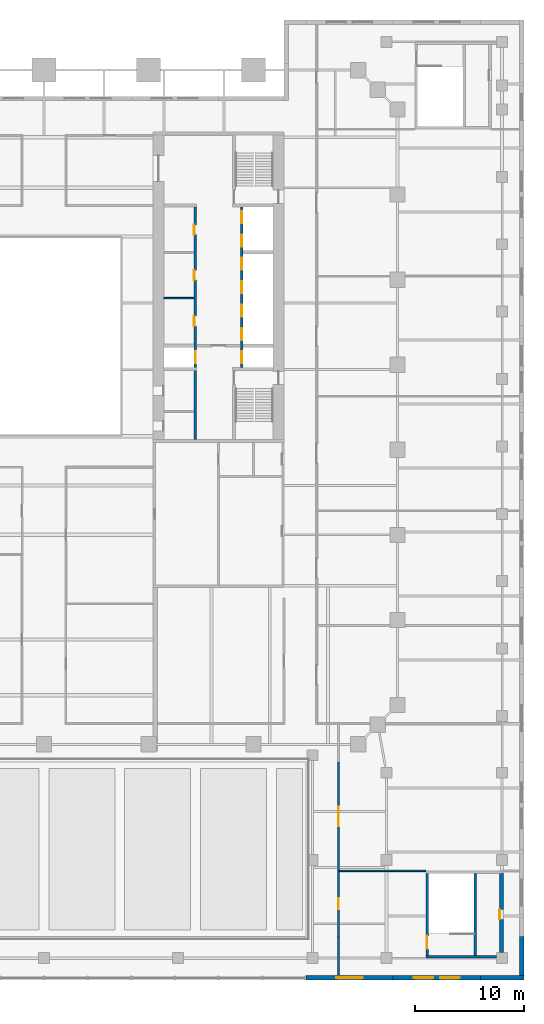
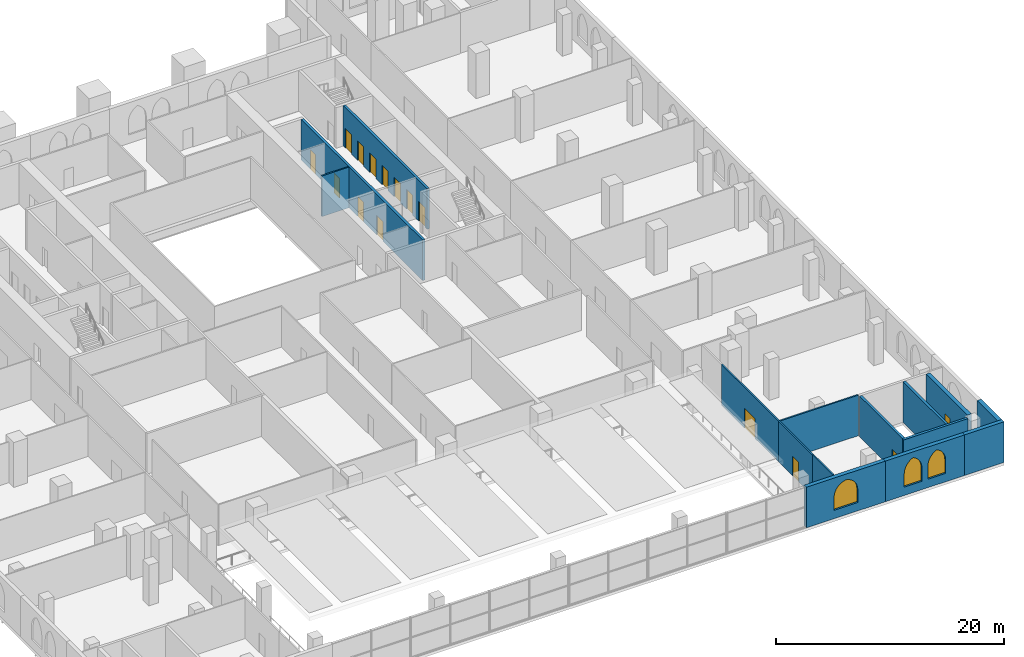
# One storey, part 12 of 18: 15 doors, 15 walls, 3 windows, 18 openings.
"""IFC4 building model written with IfcOpenShell, lengths in metres."""

from ifc_helpers import new_model, si_unit, direction, frame, frame_2d, origin, place, context, subcontext, project, spatial, polyline, rectangle, outline, extrude, material, layer, layer_set, type_object, element, fill, save


model = new_model("IFC4")

# Units and contexts
model_context = context("Model", 3, precision=1e-05, world=origin(), true_north=direction((0.0, 1.0)))
body_context = subcontext(model_context, "Body", "Model", "MODEL_VIEW")
ifc_project = project(units=[si_unit("LENGTHUNIT", "METRE"), si_unit("AREAUNIT", "SQUARE_METRE"), si_unit("VOLUMEUNIT", "CUBIC_METRE"), si_unit("PLANEANGLEUNIT", "RADIAN"), si_unit("MASSUNIT", "GRAM", prefix="KILO")], contexts=[model_context])

# Site, building, storey
site_placement = place(None, origin())
site = spatial("IfcSite", under=ifc_project, at=site_placement, CompositionType="ELEMENT")
building_placement = place(site_placement, origin())
building = spatial("IfcBuilding", under=site, at=building_placement, Name="Ogive Exchange Tower", CompositionType="ELEMENT")
storey_placement = place(building_placement, frame((0.0, 0.0, 28.800048828125)))
storey = spatial("IfcBuildingStorey", under=building, at=storey_placement, Name="L05", CompositionType="ELEMENT", Elevation=28.800048828125)

# Walls
ifc_material_1 = material(Name="Acoustic partition 150")
ifc_layer_1 = layer(ifc_material_1, 0.14990234375)
ifc_layer_set_1 = layer_set([ifc_layer_1], Name="Acoustic partition 150")
wall_type_1 = type_object("IfcWallType", Name="Acoustic partition 150", PredefinedType="PARTITIONING", material=ifc_layer_set_1)
wall_1_placement = place(storey_placement, frame((27.074951171875, -42.0, 0.0), z_axis=(0.0, 0.0, 1.0), x_axis=(1.0, 0.0, 0.0)))
element("IfcWall", 1, at=wall_1_placement, inside=storey, type_object=wall_type_1, Name="L05-PWL-003", PredefinedType="PARTITIONING", context=body_context, shape_type="SweptSolid", body=[
    extrude(rectangle(XDim=7.925048828125, YDim=0.14990234375, at=frame_2d((3.96240234375, 0.0))), origin(), (0.0, 0.0, 1.0), 4.349853515625),
])
ifc_material_2 = material(Name="Gypsum board partition")
ifc_layer_2 = layer(ifc_material_2, 0.14990234375)
ifc_layer_set_2 = layer_set([ifc_layer_2], Name="Core room partition 150 gypsum")
wall_type_2 = type_object("IfcWallType", Name="Core room partition 150 gypsum", PredefinedType="PARTITIONING", material=ifc_layer_set_2)
wall_2_placement = place(storey_placement, frame((11.0, 10.5, 0.0), z_axis=(0.0, 0.0, 1.0), x_axis=(1.0, 0.0, 0.0)))
element("IfcWall", 2, at=wall_2_placement, inside=storey, type_object=wall_type_2, Name="E row B bay partition 1-1", PredefinedType="PARTITIONING", context=body_context, shape_type="SweptSolid", body=[
    extrude(rectangle(XDim=2.75, YDim=0.14990234375, at=frame_2d((1.375, 0.0))), origin(), (0.0, 0.0, 1.0), 4.349853515625),
])
ifc_material_3 = material(Name="Fire partition EI 60 150")
ifc_layer_3 = layer(ifc_material_3, 0.14990234375)
ifc_layer_set_3 = layer_set([ifc_layer_3], Name="Fire partition EI 60 150")
wall_type_3 = type_object("IfcWallType", Name="Fire partition EI 60 150", PredefinedType="PARTITIONING", material=ifc_layer_set_3)
wall_3_placement = place(storey_placement, frame((27.0, -51.5, 0.0), z_axis=(0.0, 0.0, 1.0), x_axis=(0.0, 1.0, 0.0)))
element("IfcWall", 3, at=wall_3_placement, inside=storey, type_object=wall_type_3, Name="L05-PWL-066", PredefinedType="PARTITIONING", context=body_context, shape_type="SweptSolid", body=[
    extrude(rectangle(XDim=3.5, YDim=0.14990234375, at=frame_2d((1.75, 0.0))), origin(), (0.0, 0.0, 1.0), 4.349853515625),
])

# Wall, opening, door
wall_4_placement = place(storey_placement, frame((27.0, -48.0, 0.0), z_axis=(0.0, 0.0, 1.0), x_axis=(0.0, 1.0, 0.0)))
wall_4 = element("IfcWall", 4, at=wall_4_placement, inside=storey, type_object=wall_type_3, Name="L05-PWL-067", PredefinedType="PARTITIONING", context=body_context, shape_type="SweptSolid", body=[
    extrude(rectangle(XDim=6.0, YDim=0.14990234375, at=frame_2d((3.0, 0.0))), origin(), (0.0, 0.0, 1.0), 4.349853515625),
])
opening_1_placement = place(wall_4_placement, frame((2.5, 0.0, 0.0)))
opening_1 = element("IfcOpeningElement", 5, at=opening_1_placement, cuts=wall_4, Name="Opening L05-I16", PredefinedType="OPENING", context=body_context, shape_type="SweptSolid", body=[
    extrude(rectangle(XDim=1.0, YDim=2.10009765625, at=frame_2d((0.5, 1.050048828125))), frame((0.0, 0.0849609375, 0.0), z_axis=(0.0, -1.0, 0.0), x_axis=(1.0, 0.0, 0.0)), (0.0, 0.0, 1.0), 0.169921875),
])
ifc_material_4 = material(Name="Fire door FD 30S 1000 x 2100")
door_type_1 = type_object("IfcDoorType", Name="Fire door FD 30S 1000 x 2100", OperationType="NOTDEFINED", PredefinedType="DOOR", material=ifc_material_4)
door_1_placement = place(opening_1_placement, frame((1.0, 0.0, 0.0), z_axis=(0.0, 0.0, 1.0), x_axis=(-1.0, 0.0, 0.0)))
door_1 = element("IfcDoor", 6, at=door_1_placement, inside=storey, type_object=door_type_1, Name="L05-IDR-016", ObjectType="DT3", OperationType="SINGLE_SWING_RIGHT", OverallHeight=2.10009765625, OverallWidth=1.0, PredefinedType="DOOR", context=body_context, shape_type="SweptSolid", body=[
    extrude(rectangle(XDim=1.0, YDim=2.10009765625, at=frame_2d((0.5, 1.050048828125))), frame((0.0, 0.02490234375, 0.0), z_axis=(0.0, -1.0, 0.0), x_axis=(1.0, 0.0, 0.0)), (0.0, 0.0, 1.0), 0.050048828125),
])
fill(opening_1, door_1)

wall_5_placement = place(storey_placement, frame((27.0, -42.0, 0.0), z_axis=(0.0, 0.0, 1.0), x_axis=(0.0, 1.0, 0.0)))
wall_5 = element("IfcWall", 7, at=wall_5_placement, inside=storey, type_object=wall_type_3, Name="L05-PWL-068", PredefinedType="PARTITIONING", context=body_context, shape_type="SweptSolid", body=[
    extrude(rectangle(XDim=10.0, YDim=0.14990234375, at=frame_2d((5.0, 0.0))), origin(), (0.0, 0.0, 1.0), 4.349853515625),
])
opening_2_placement = place(wall_5_placement, frame((4.10009765625, 0.0, 0.0)))
opening_2 = element("IfcOpeningElement", 8, at=opening_2_placement, cuts=wall_5, Name="Opening L05-I17", PredefinedType="OPENING", context=body_context, shape_type="SweptSolid", body=[
    extrude(rectangle(XDim=1.800048828125, YDim=2.10009765625, at=frame_2d((0.89990234375, 1.050048828125))), frame((0.0, 0.0849609375, 0.0), z_axis=(0.0, -1.0, 0.0), x_axis=(1.0, 0.0, 0.0)), (0.0, 0.0, 1.0), 0.169921875),
])
ifc_material_5 = material(Name="Fire door FD 30S 1800 x 2100")
door_type_2 = type_object("IfcDoorType", Name="Fire door FD 30S 1800 x 2100", OperationType="DOUBLE_DOOR_SINGLE_SWING", PredefinedType="DOOR", material=ifc_material_5)
door_2_placement = place(opening_2_placement, frame((1.800048828125, 0.0, 0.0), z_axis=(0.0, 0.0, 1.0), x_axis=(-1.0, 0.0, 0.0)))
door_2 = element("IfcDoor", 9, at=door_2_placement, inside=storey, type_object=door_type_2, Name="L05-IDR-017", ObjectType="DT4", OperationType="SINGLE_SWING_RIGHT", OverallHeight=2.10009765625, OverallWidth=1.800048828125, PredefinedType="DOOR", context=body_context, shape_type="SweptSolid", body=[
    extrude(rectangle(XDim=1.800048828125, YDim=2.10009765625, at=frame_2d((0.89990234375, 1.050048828125))), frame((0.0, 0.02490234375, 0.0), z_axis=(0.0, -1.0, 0.0), x_axis=(1.0, 0.0, 0.0)), (0.0, 0.0, 1.0), 0.050048828125),
])
fill(opening_2, door_2)

# Wall, opening, window
ifc_material_6 = material(Name="Precast concrete C40/50", Category="concrete")
ifc_layer_4 = layer(ifc_material_6, 0.39990234375)
ifc_layer_set_4 = layer_set([ifc_layer_4], Name="Limestone-faced wall 400")
wall_type_4 = type_object("IfcWallType", Name="Limestone-faced wall 400", PredefinedType="STANDARD", material=ifc_layer_set_4)
wall_6_placement = place(storey_placement, frame((24.0, -51.800048828125, 0.0), z_axis=(0.0, 0.0, 1.0), x_axis=(1.0, 0.0, 0.0)))
wall_6 = element("IfcWall", 10, at=wall_6_placement, inside=storey, type_object=wall_type_4, Name="Podium wall S10", PredefinedType="STANDARD", context=body_context, shape_type="SweptSolid", body=[
    extrude(rectangle(XDim=8.0, YDim=0.39990234375, at=frame_2d((4.0, 0.0))), origin(), (0.0, 0.0, 1.0), 4.349853515625),
])
opening_3_placement = place(wall_6_placement, frame((2.800048828125, 0.0, 0.89990234375)))
opening_3 = element("IfcOpeningElement", 11, at=opening_3_placement, cuts=wall_6, Name="Opening WP285", PredefinedType="OPENING", context=body_context, shape_type="SweptSolid", body=[
    extrude(outline(polyline([(0.0, 0.0), (2.39990234375, 0.0), (2.39990234375, 1.425048828125), (2.3779296875, 1.6767578125), (2.312255859375, 1.9208984375), (2.205322265625, 2.149658203125), (2.06005859375, 2.3564453125), (1.880859375, 2.534912109375), (1.673583984375, 2.679443359375), (1.4443359375, 2.785400390625), (1.199951171875, 2.85009765625), (0.95556640625, 2.785400390625), (0.726318359375, 2.679443359375), (0.51904296875, 2.534912109375), (0.33984375, 2.3564453125), (0.194580078125, 2.149658203125), (0.087646484375, 1.9208984375), (0.02197265625, 1.6767578125), (0.0, 1.425048828125), (0.0, 0.0)])), frame((0.0, 0.2099609375, 0.0), z_axis=(0.0, -1.0, 0.0), x_axis=(1.0, 0.0, 0.0)), (0.0, 0.0, 1.0), 0.419921875),
])
ifc_material_7 = material(Name="Clear glass in bronze frame", Category="glass")
window_type_1 = type_object("IfcWindowType", Name="Podium lancet window 2400 x 2850", PartitioningType="DOUBLE_PANEL_VERTICAL", PredefinedType="WINDOW", material=ifc_material_7)
window_1_placement = place(opening_3_placement, origin())
window_1 = element("IfcWindow", 12, at=window_1_placement, inside=storey, type_object=window_type_1, Name="Podium window S10", OverallHeight=2.85009765625, OverallWidth=2.39990234375, PartitioningType="DOUBLE_PANEL_VERTICAL", PredefinedType="WINDOW", context=body_context, shape_type="SweptSolid", body=[
    extrude(outline(polyline([(0.0, 0.0), (2.39990234375, 0.0), (2.39990234375, 1.425048828125), (2.3779296875, 1.6767578125), (2.312255859375, 1.9208984375), (2.205322265625, 2.149658203125), (2.06005859375, 2.3564453125), (1.880859375, 2.534912109375), (1.673583984375, 2.679443359375), (1.4443359375, 2.785400390625), (1.199951171875, 2.85009765625), (0.95556640625, 2.785400390625), (0.726318359375, 2.679443359375), (0.51904296875, 2.534912109375), (0.33984375, 2.3564453125), (0.194580078125, 2.149658203125), (0.087646484375, 1.9208984375), (0.02197265625, 1.6767578125), (0.0, 1.425048828125), (0.0, 0.0)])), frame((0.0, 0.030029296875, 0.0), z_axis=(0.0, -1.0, 0.0), x_axis=(1.0, 0.0, 0.0)), (0.0, 0.0, 1.0), 0.06005859375),
])
fill(opening_3, window_1)

# Wall, openings, windows
wall_7_placement = place(storey_placement, frame((32.0, -51.800048828125, 0.0), z_axis=(0.0, 0.0, 1.0), x_axis=(1.0, 0.0, 0.0)))
wall_7 = element("IfcWall", 13, at=wall_7_placement, inside=storey, type_object=wall_type_4, Name="Podium wall S11", PredefinedType="STANDARD", context=body_context, shape_type="SweptSolid", body=[
    extrude(rectangle(XDim=8.0, YDim=0.39990234375, at=frame_2d((4.0, 0.0))), origin(), (0.0, 0.0, 1.0), 4.349853515625),
])
opening_4_placement = place(wall_7_placement, frame((1.89990234375, 0.0, 0.89990234375)))
opening_4 = element("IfcOpeningElement", 14, at=opening_4_placement, cuts=wall_7, Name="Opening WQ285", PredefinedType="OPENING", context=body_context, shape_type="SweptSolid", body=[
    extrude(outline(polyline([(0.0, 0.0), (1.800048828125, 0.0), (1.800048828125, 1.425048828125), (1.784423828125, 1.646484375), (1.73779296875, 1.86376953125), (1.661376953125, 2.072265625), (1.55615234375, 2.267822265625), (1.4248046875, 2.44677734375), (1.269287109375, 2.60546875), (1.09326171875, 2.74072265625), (0.89990234375, 2.85009765625), (0.706787109375, 2.74072265625), (0.53076171875, 2.60546875), (0.375244140625, 2.44677734375), (0.243896484375, 2.267822265625), (0.138671875, 2.072265625), (0.062255859375, 1.86376953125), (0.015625, 1.646484375), (0.0, 1.425048828125), (0.0, 0.0)])), frame((0.0, 0.2099609375, 0.0), z_axis=(0.0, -1.0, 0.0), x_axis=(1.0, 0.0, 0.0)), (0.0, 0.0, 1.0), 0.419921875),
])
opening_5_placement = place(wall_7_placement, frame((4.300048828125, 0.0, 0.89990234375)))
opening_5 = element("IfcOpeningElement", 15, at=opening_5_placement, cuts=wall_7, Name="Opening WQ285", PredefinedType="OPENING", context=body_context, shape_type="SweptSolid", body=[
    extrude(outline(polyline([(0.0, 0.0), (1.800048828125, 0.0), (1.800048828125, 1.425048828125), (1.784423828125, 1.646484375), (1.73779296875, 1.86376953125), (1.661376953125, 2.072265625), (1.55615234375, 2.267822265625), (1.4248046875, 2.44677734375), (1.269287109375, 2.60546875), (1.09326171875, 2.74072265625), (0.89990234375, 2.85009765625), (0.706787109375, 2.74072265625), (0.53076171875, 2.60546875), (0.375244140625, 2.44677734375), (0.243896484375, 2.267822265625), (0.138671875, 2.072265625), (0.062255859375, 1.86376953125), (0.015625, 1.646484375), (0.0, 1.425048828125), (0.0, 0.0)])), frame((0.0, 0.2099609375, 0.0), z_axis=(0.0, -1.0, 0.0), x_axis=(1.0, 0.0, 0.0)), (0.0, 0.0, 1.0), 0.419921875),
])
window_type_2 = type_object("IfcWindowType", Name="Podium paired lancet 1800 x 2850", PartitioningType="DOUBLE_PANEL_VERTICAL", PredefinedType="WINDOW", material=ifc_material_7)
window_2_placement = place(opening_4_placement, origin())
window_2 = element("IfcWindow", 16, at=window_2_placement, inside=storey, type_object=window_type_2, Name="Podium paired lancet S11.1", OverallHeight=2.85009765625, OverallWidth=1.800048828125, PartitioningType="DOUBLE_PANEL_VERTICAL", PredefinedType="WINDOW", context=body_context, shape_type="SweptSolid", body=[
    extrude(outline(polyline([(0.0, 0.0), (1.800048828125, 0.0), (1.800048828125, 1.425048828125), (1.784423828125, 1.646484375), (1.73779296875, 1.86376953125), (1.661376953125, 2.072265625), (1.55615234375, 2.267822265625), (1.4248046875, 2.44677734375), (1.269287109375, 2.60546875), (1.09326171875, 2.74072265625), (0.89990234375, 2.85009765625), (0.706787109375, 2.74072265625), (0.53076171875, 2.60546875), (0.375244140625, 2.44677734375), (0.243896484375, 2.267822265625), (0.138671875, 2.072265625), (0.062255859375, 1.86376953125), (0.015625, 1.646484375), (0.0, 1.425048828125), (0.0, 0.0)])), frame((0.0, 0.030029296875, 0.0), z_axis=(0.0, -1.0, 0.0), x_axis=(1.0, 0.0, 0.0)), (0.0, 0.0, 1.0), 0.06005859375),
])
fill(opening_4, window_2)
window_3_placement = place(opening_5_placement, origin())
window_3 = element("IfcWindow", 17, at=window_3_placement, inside=storey, type_object=window_type_2, Name="Podium paired lancet S11.2", OverallHeight=2.85009765625, OverallWidth=1.800048828125, PartitioningType="DOUBLE_PANEL_VERTICAL", PredefinedType="WINDOW", context=body_context, shape_type="SweptSolid", body=[
    extrude(outline(polyline([(0.0, 0.0), (1.800048828125, 0.0), (1.800048828125, 1.425048828125), (1.784423828125, 1.646484375), (1.73779296875, 1.86376953125), (1.661376953125, 2.072265625), (1.55615234375, 2.267822265625), (1.4248046875, 2.44677734375), (1.269287109375, 2.60546875), (1.09326171875, 2.74072265625), (0.89990234375, 2.85009765625), (0.706787109375, 2.74072265625), (0.53076171875, 2.60546875), (0.375244140625, 2.44677734375), (0.243896484375, 2.267822265625), (0.138671875, 2.072265625), (0.062255859375, 1.86376953125), (0.015625, 1.646484375), (0.0, 1.425048828125), (0.0, 0.0)])), frame((0.0, 0.030029296875, 0.0), z_axis=(0.0, -1.0, 0.0), x_axis=(1.0, 0.0, 0.0)), (0.0, 0.0, 1.0), 0.06005859375),
])
fill(opening_5, window_3)

# Walls
wall_8_placement = place(storey_placement, frame((40.0, -51.800048828125, 0.0), z_axis=(0.0, 0.0, 1.0), x_axis=(1.0, 0.0, 0.0)))
element("IfcWall", 18, at=wall_8_placement, inside=storey, type_object=wall_type_4, Name="Podium wall S12", PredefinedType="STANDARD", context=body_context, shape_type="SweptSolid", body=[
    extrude(rectangle(XDim=4.0, YDim=0.39990234375, at=frame_2d((2.0, 0.0))), origin(), (0.0, 0.0, 1.0), 4.349853515625),
])
wall_9_placement = place(storey_placement, frame((43.800048828125, -51.60009765625, 0.0), z_axis=(0.0, 0.0, 1.0), x_axis=(0.0, 1.0, 0.0)))
element("IfcWall", 19, at=wall_9_placement, inside=storey, type_object=wall_type_4, Name="Podium wall E1", PredefinedType="STANDARD", context=body_context, shape_type="SweptSolid", body=[
    extrude(rectangle(XDim=3.60009765625, YDim=0.39990234375, at=frame_2d((1.800048828125, 0.0))), origin(), (0.0, 0.0, 1.0), 4.349853515625),
])

# Wall, openings, doors
ifc_material_8 = material(Name="Concrete C70/85", Category="concrete")
ifc_layer_5 = layer(ifc_material_8, 0.25)
ifc_layer_set_5 = layer_set([ifc_layer_5], Name="RC core wall 250 C70/85")
wall_type_5 = type_object("IfcWallType", Name="RC core wall 250 C70/85", PredefinedType="SHEAR", material=ifc_layer_set_5)
wall_10_placement = place(storey_placement, frame((18.125, 4.14990234375, 0.0), z_axis=(0.0, 0.0, 1.0), x_axis=(0.0, 1.0, 0.0)))
wall_10 = element("IfcWall", 20, at=wall_10_placement, inside=storey, type_object=wall_type_5, Name="E row A front wall", PredefinedType="SHEAR", context=body_context, shape_type="SweptSolid", body=[
    extrude(rectangle(XDim=14.7001953125, YDim=0.25, at=frame_2d((7.35009765625, 0.0))), origin(), (0.0, 0.0, 1.0), 4.349853515625),
])
opening_6_placement = place(wall_10_placement, frame((0.371337890625, 0.0, 0.0)))
opening_6 = element("IfcOpeningElement", 21, at=opening_6_placement, cuts=wall_10, Name="Opening L05-C22", PredefinedType="OPENING", context=body_context, shape_type="SweptSolid", body=[
    extrude(rectangle(XDim=1.10009765625, YDim=2.10009765625, at=frame_2d((0.550048828125, 1.050048828125))), frame((0.0, 0.135009765625, 0.0), z_axis=(0.0, -1.0, 0.0), x_axis=(1.0, 0.0, 0.0)), (0.0, 0.0, 1.0), 0.27001953125),
])
opening_7_placement = place(wall_10_placement, frame((2.514404296875, 0.0, 0.0)))
opening_7 = element("IfcOpeningElement", 22, at=opening_7_placement, cuts=wall_10, Name="Opening L05-C23", PredefinedType="OPENING", context=body_context, shape_type="SweptSolid", body=[
    extrude(rectangle(XDim=1.10009765625, YDim=2.10009765625, at=frame_2d((0.550048828125, 1.050048828125))), frame((0.0, 0.135009765625, 0.0), z_axis=(0.0, -1.0, 0.0), x_axis=(1.0, 0.0, 0.0)), (0.0, 0.0, 1.0), 0.27001953125),
])
opening_8_placement = place(wall_10_placement, frame((4.656982421875, 0.0, 0.0)))
opening_8 = element("IfcOpeningElement", 23, at=opening_8_placement, cuts=wall_10, Name="Opening L05-C24", PredefinedType="OPENING", context=body_context, shape_type="SweptSolid", body=[
    extrude(rectangle(XDim=1.10009765625, YDim=2.10009765625, at=frame_2d((0.550048828125, 1.050048828125))), frame((0.0, 0.135009765625, 0.0), z_axis=(0.0, -1.0, 0.0), x_axis=(1.0, 0.0, 0.0)), (0.0, 0.0, 1.0), 0.27001953125),
])
opening_9_placement = place(wall_10_placement, frame((6.800048828125, 0.0, 0.0)))
opening_9 = element("IfcOpeningElement", 24, at=opening_9_placement, cuts=wall_10, Name="Opening L05-C25", PredefinedType="OPENING", context=body_context, shape_type="SweptSolid", body=[
    extrude(rectangle(XDim=1.10009765625, YDim=2.10009765625, at=frame_2d((0.550048828125, 1.050048828125))), frame((0.0, 0.135009765625, 0.0), z_axis=(0.0, -1.0, 0.0), x_axis=(1.0, 0.0, 0.0)), (0.0, 0.0, 1.0), 0.27001953125),
])
opening_10_placement = place(wall_10_placement, frame((8.94287109375, 0.0, 0.0)))
opening_10 = element("IfcOpeningElement", 25, at=opening_10_placement, cuts=wall_10, Name="Opening L05-C26", PredefinedType="OPENING", context=body_context, shape_type="SweptSolid", body=[
    extrude(rectangle(XDim=1.10009765625, YDim=2.10009765625, at=frame_2d((0.550048828125, 1.050048828125))), frame((0.0, 0.135009765625, 0.0), z_axis=(0.0, -1.0, 0.0), x_axis=(1.0, 0.0, 0.0)), (0.0, 0.0, 1.0), 0.27001953125),
])
opening_11_placement = place(wall_10_placement, frame((11.085693359375, 0.0, 0.0)))
opening_11 = element("IfcOpeningElement", 26, at=opening_11_placement, cuts=wall_10, Name="Opening L05-C27", PredefinedType="OPENING", context=body_context, shape_type="SweptSolid", body=[
    extrude(rectangle(XDim=1.10009765625, YDim=2.10009765625, at=frame_2d((0.550048828125, 1.050048828125))), frame((0.0, 0.135009765625, 0.0), z_axis=(0.0, -1.0, 0.0), x_axis=(1.0, 0.0, 0.0)), (0.0, 0.0, 1.0), 0.27001953125),
])
opening_12_placement = place(wall_10_placement, frame((13.228515625, 0.0, 0.0)))
opening_12 = element("IfcOpeningElement", 27, at=opening_12_placement, cuts=wall_10, Name="Opening L05-C28", PredefinedType="OPENING", context=body_context, shape_type="SweptSolid", body=[
    extrude(rectangle(XDim=1.10009765625, YDim=2.10009765625, at=frame_2d((0.550048828125, 1.050048828125))), frame((0.0, 0.135009765625, 0.0), z_axis=(0.0, -1.0, 0.0), x_axis=(1.0, 0.0, 0.0)), (0.0, 0.0, 1.0), 0.27001953125),
])
ifc_material_9 = material(Name="Stainless steel", Category="steel")
door_type_3 = type_object("IfcDoorType", Name="Lift landing door FD90 1100 x 2100", OperationType="SLIDING_TO_LEFT", PredefinedType="DOOR", material=ifc_material_9)
door_3_placement = place(opening_6_placement, origin())
door_3 = element("IfcDoor", 28, at=door_3_placement, inside=storey, type_object=door_type_3, Name="Lift landing door FF2", ObjectType="LD", OperationType="SLIDING_TO_LEFT", OverallHeight=2.10009765625, OverallWidth=1.10009765625, PredefinedType="DOOR", context=body_context, shape_type="SweptSolid", body=[
    extrude(rectangle(XDim=1.10009765625, YDim=2.10009765625, at=frame_2d((0.550048828125, 1.050048828125))), frame((0.0, 0.02490234375, 0.0), z_axis=(0.0, -1.0, 0.0), x_axis=(1.0, 0.0, 0.0)), (0.0, 0.0, 1.0), 0.050048828125),
])
fill(opening_6, door_3)
door_4_placement = place(opening_7_placement, origin())
door_4 = element("IfcDoor", 29, at=door_4_placement, inside=storey, type_object=door_type_3, Name="Lift landing door E-L1", ObjectType="LD", OperationType="SLIDING_TO_LEFT", OverallHeight=2.10009765625, OverallWidth=1.10009765625, PredefinedType="DOOR", context=body_context, shape_type="SweptSolid", body=[
    extrude(rectangle(XDim=1.10009765625, YDim=2.10009765625, at=frame_2d((0.550048828125, 1.050048828125))), frame((0.0, 0.02490234375, 0.0), z_axis=(0.0, -1.0, 0.0), x_axis=(1.0, 0.0, 0.0)), (0.0, 0.0, 1.0), 0.050048828125),
])
fill(opening_7, door_4)
door_5_placement = place(opening_8_placement, origin())
door_5 = element("IfcDoor", 30, at=door_5_placement, inside=storey, type_object=door_type_3, Name="Lift landing door E-L2", ObjectType="LD", OperationType="SLIDING_TO_LEFT", OverallHeight=2.10009765625, OverallWidth=1.10009765625, PredefinedType="DOOR", context=body_context, shape_type="SweptSolid", body=[
    extrude(rectangle(XDim=1.10009765625, YDim=2.10009765625, at=frame_2d((0.550048828125, 1.050048828125))), frame((0.0, 0.02490234375, 0.0), z_axis=(0.0, -1.0, 0.0), x_axis=(1.0, 0.0, 0.0)), (0.0, 0.0, 1.0), 0.050048828125),
])
fill(opening_8, door_5)
door_6_placement = place(opening_9_placement, origin())
door_6 = element("IfcDoor", 31, at=door_6_placement, inside=storey, type_object=door_type_3, Name="Lift landing door E-L3", ObjectType="LD", OperationType="SLIDING_TO_LEFT", OverallHeight=2.10009765625, OverallWidth=1.10009765625, PredefinedType="DOOR", context=body_context, shape_type="SweptSolid", body=[
    extrude(rectangle(XDim=1.10009765625, YDim=2.10009765625, at=frame_2d((0.550048828125, 1.050048828125))), frame((0.0, 0.02490234375, 0.0), z_axis=(0.0, -1.0, 0.0), x_axis=(1.0, 0.0, 0.0)), (0.0, 0.0, 1.0), 0.050048828125),
])
fill(opening_9, door_6)
door_7_placement = place(opening_10_placement, origin())
door_7 = element("IfcDoor", 32, at=door_7_placement, inside=storey, type_object=door_type_3, Name="Lift landing door E-L4", ObjectType="LD", OperationType="SLIDING_TO_LEFT", OverallHeight=2.10009765625, OverallWidth=1.10009765625, PredefinedType="DOOR", context=body_context, shape_type="SweptSolid", body=[
    extrude(rectangle(XDim=1.10009765625, YDim=2.10009765625, at=frame_2d((0.550048828125, 1.050048828125))), frame((0.0, 0.02490234375, 0.0), z_axis=(0.0, -1.0, 0.0), x_axis=(1.0, 0.0, 0.0)), (0.0, 0.0, 1.0), 0.050048828125),
])
fill(opening_10, door_7)
door_8_placement = place(opening_11_placement, origin())
door_8 = element("IfcDoor", 33, at=door_8_placement, inside=storey, type_object=door_type_3, Name="Lift landing door E-SH1", ObjectType="LD", OperationType="SLIDING_TO_LEFT", OverallHeight=2.10009765625, OverallWidth=1.10009765625, PredefinedType="DOOR", context=body_context, shape_type="SweptSolid", body=[
    extrude(rectangle(XDim=1.10009765625, YDim=2.10009765625, at=frame_2d((0.550048828125, 1.050048828125))), frame((0.0, 0.02490234375, 0.0), z_axis=(0.0, -1.0, 0.0), x_axis=(1.0, 0.0, 0.0)), (0.0, 0.0, 1.0), 0.050048828125),
])
fill(opening_11, door_8)
door_9_placement = place(opening_12_placement, origin())
door_9 = element("IfcDoor", 34, at=door_9_placement, inside=storey, type_object=door_type_3, Name="Lift landing door E-SH2", ObjectType="LD", OperationType="SLIDING_TO_LEFT", OverallHeight=2.10009765625, OverallWidth=1.10009765625, PredefinedType="DOOR", context=body_context, shape_type="SweptSolid", body=[
    extrude(rectangle(XDim=1.10009765625, YDim=2.10009765625, at=frame_2d((0.550048828125, 1.050048828125))), frame((0.0, 0.02490234375, 0.0), z_axis=(0.0, -1.0, 0.0), x_axis=(1.0, 0.0, 0.0)), (0.0, 0.0, 1.0), 0.050048828125),
])
fill(opening_12, door_9)

wall_11_placement = place(storey_placement, frame((13.875, -2.449951171875, 0.0), z_axis=(0.0, 0.0, 1.0), x_axis=(0.0, 1.0, 0.0)))
wall_11 = element("IfcWall", 35, at=wall_11_placement, inside=storey, type_object=wall_type_5, Name="E row B front wall", PredefinedType="SHEAR", context=body_context, shape_type="SweptSolid", body=[
    extrude(rectangle(XDim=21.300048828125, YDim=0.25, at=frame_2d((10.64990234375, 0.0))), origin(), (0.0, 0.0, 1.0), 4.349853515625),
])
opening_13_placement = place(wall_11_placement, frame((10.396484375, 0.0, 0.0)))
opening_13 = element("IfcOpeningElement", 36, at=opening_13_placement, cuts=wall_11, Name="Opening L05-C29", PredefinedType="OPENING", context=body_context, shape_type="SweptSolid", body=[
    extrude(rectangle(XDim=0.89990234375, YDim=2.10009765625, at=frame_2d((0.449951171875, 1.050048828125))), frame((0.0, 0.135009765625, 0.0), z_axis=(0.0, -1.0, 0.0), x_axis=(1.0, 0.0, 0.0)), (0.0, 0.0, 1.0), 0.27001953125),
])
opening_14_placement = place(wall_11_placement, frame((14.60009765625, 0.0, 0.0)))
opening_14 = element("IfcOpeningElement", 37, at=opening_14_placement, cuts=wall_11, Name="Opening L05-C30", PredefinedType="OPENING", context=body_context, shape_type="SweptSolid", body=[
    extrude(rectangle(XDim=0.89990234375, YDim=2.10009765625, at=frame_2d((0.449951171875, 1.050048828125))), frame((0.0, 0.135009765625, 0.0), z_axis=(0.0, -1.0, 0.0), x_axis=(1.0, 0.0, 0.0)), (0.0, 0.0, 1.0), 0.27001953125),
])
opening_15_placement = place(wall_11_placement, frame((18.77490234375, 0.0, 0.0)))
opening_15 = element("IfcOpeningElement", 38, at=opening_15_placement, cuts=wall_11, Name="Opening L05-C31", PredefinedType="OPENING", context=body_context, shape_type="SweptSolid", body=[
    extrude(rectangle(XDim=0.89990234375, YDim=2.10009765625, at=frame_2d((0.449951171875, 1.050048828125))), frame((0.0, 0.135009765625, 0.0), z_axis=(0.0, -1.0, 0.0), x_axis=(1.0, 0.0, 0.0)), (0.0, 0.0, 1.0), 0.27001953125),
])
opening_16_placement = place(wall_11_placement, frame((6.971435546875, 0.0, 0.0)))
opening_16 = element("IfcOpeningElement", 39, at=opening_16_placement, cuts=wall_11, Name="Opening L05-C32", PredefinedType="OPENING", context=body_context, shape_type="SweptSolid", body=[
    extrude(rectangle(XDim=1.10009765625, YDim=2.10009765625, at=frame_2d((0.550048828125, 1.050048828125))), frame((0.0, 0.135009765625, 0.0), z_axis=(0.0, -1.0, 0.0), x_axis=(1.0, 0.0, 0.0)), (0.0, 0.0, 1.0), 0.27001953125),
])
door_10_placement = place(opening_16_placement, origin())
door_10 = element("IfcDoor", 40, at=door_10_placement, inside=storey, type_object=door_type_3, Name="Lift landing door SV2", ObjectType="LD", OperationType="SLIDING_TO_LEFT", OverallHeight=2.10009765625, OverallWidth=1.10009765625, PredefinedType="DOOR", context=body_context, shape_type="SweptSolid", body=[
    extrude(rectangle(XDim=1.10009765625, YDim=2.10009765625, at=frame_2d((0.550048828125, 1.050048828125))), frame((0.0, 0.02490234375, 0.0), z_axis=(0.0, -1.0, 0.0), x_axis=(1.0, 0.0, 0.0)), (0.0, 0.0, 1.0), 0.050048828125),
])
fill(opening_16, door_10)
ifc_material_10 = material(Name="Steel fire door", Category="steel")
door_type_4 = type_object("IfcDoorType", Name="Riser door FD60 900 x 2100", OperationType="NOTDEFINED", PredefinedType="DOOR", material=ifc_material_10)
door_11_placement = place(opening_13_placement, origin())
door_11 = element("IfcDoor", 41, at=door_11_placement, inside=storey, type_object=door_type_4, Name="Riser door", ObjectType="CD2", OperationType="SINGLE_SWING_LEFT", OverallHeight=2.10009765625, OverallWidth=0.89990234375, PredefinedType="DOOR", context=body_context, shape_type="SweptSolid", body=[
    extrude(rectangle(XDim=0.89990234375, YDim=2.10009765625, at=frame_2d((0.449951171875, 1.050048828125))), frame((0.0, 0.125, 0.0), z_axis=(0.0, -1.0, 0.0), x_axis=(1.0, 0.0, 0.0)), (0.0, 0.0, 1.0), 0.050048828125),
])
fill(opening_13, door_11)
door_12_placement = place(opening_14_placement, origin())
door_12 = element("IfcDoor", 42, at=door_12_placement, inside=storey, type_object=door_type_4, Name="Riser door", ObjectType="CD2", OperationType="SINGLE_SWING_RIGHT", OverallHeight=2.10009765625, OverallWidth=0.89990234375, PredefinedType="DOOR", context=body_context, shape_type="SweptSolid", body=[
    extrude(rectangle(XDim=0.89990234375, YDim=2.10009765625, at=frame_2d((0.449951171875, 1.050048828125))), frame((0.0, 0.125, 0.0), z_axis=(0.0, -1.0, 0.0), x_axis=(1.0, 0.0, 0.0)), (0.0, 0.0, 1.0), 0.050048828125),
])
fill(opening_14, door_12)
door_13_placement = place(opening_15_placement, origin())
door_13 = element("IfcDoor", 43, at=door_13_placement, inside=storey, type_object=door_type_4, Name="Riser door", ObjectType="CD2", OperationType="SINGLE_SWING_RIGHT", OverallHeight=2.10009765625, OverallWidth=0.89990234375, PredefinedType="DOOR", context=body_context, shape_type="SweptSolid", body=[
    extrude(rectangle(XDim=0.89990234375, YDim=2.10009765625, at=frame_2d((0.449951171875, 1.050048828125))), frame((0.0, 0.125, 0.0), z_axis=(0.0, -1.0, 0.0), x_axis=(1.0, 0.0, 0.0)), (0.0, 0.0, 1.0), 0.050048828125),
])
fill(opening_15, door_13)

# Wall
wall_12_placement = place(storey_placement, frame((35.0, -49.875, 0.0), z_axis=(0.0, 0.0, 1.0), x_axis=(1.0, 0.0, 0.0)))
element("IfcWall", 44, at=wall_12_placement, inside=storey, type_object=wall_type_5, Name="PS2 south wall", PredefinedType="SHEAR", context=body_context, shape_type="SweptSolid", body=[
    extrude(rectangle(XDim=6.5, YDim=0.25, at=frame_2d((3.25, 0.0))), origin(), (0.0, 0.0, 1.0), 4.349853515625),
])

# Wall, opening, door
wall_13_placement = place(storey_placement, frame((35.125, -49.75, 0.0), z_axis=(0.0, 0.0, 1.0), x_axis=(0.0, 1.0, 0.0)))
wall_13 = element("IfcWall", 45, at=wall_13_placement, inside=storey, type_object=wall_type_5, Name="PS2 west wall", PredefinedType="SHEAR", context=body_context, shape_type="SweptSolid", body=[
    extrude(rectangle(XDim=7.5, YDim=0.25, at=frame_2d((3.75, 0.0))), origin(), (0.0, 0.0, 1.0), 4.349853515625),
])
opening_17_placement = place(wall_13_placement, frame((0.60009765625, 0.0, 0.0)))
opening_17 = element("IfcOpeningElement", 46, at=opening_17_placement, cuts=wall_13, Name="Opening L05-C47", PredefinedType="OPENING", context=body_context, shape_type="SweptSolid", body=[
    extrude(rectangle(XDim=1.199951171875, YDim=2.10009765625, at=frame_2d((0.60009765625, 1.050048828125))), frame((0.0, 0.135009765625, 0.0), z_axis=(0.0, -1.0, 0.0), x_axis=(1.0, 0.0, 0.0)), (0.0, 0.0, 1.0), 0.27001953125),
])
door_type_5 = type_object("IfcDoorType", Name="Stair door FD90 1200 x 2100", OperationType="NOTDEFINED", PredefinedType="DOOR", material=ifc_material_10)
door_14_placement = place(opening_17_placement, origin())
door_14 = element("IfcDoor", 47, at=door_14_placement, inside=storey, type_object=door_type_5, Name="Stair door", ObjectType="CD5", OperationType="SINGLE_SWING_RIGHT", OverallHeight=2.10009765625, OverallWidth=1.199951171875, PredefinedType="DOOR", context=body_context, shape_type="SweptSolid", body=[
    extrude(rectangle(XDim=1.199951171875, YDim=2.10009765625, at=frame_2d((0.60009765625, 1.050048828125))), frame((0.0, 0.02490234375, 0.0), z_axis=(0.0, -1.0, 0.0), x_axis=(1.0, 0.0, 0.0)), (0.0, 0.0, 1.0), 0.050048828125),
])
fill(opening_17, door_14)

# Wall
wall_14_placement = place(storey_placement, frame((39.52490234375, -49.75, 0.0), z_axis=(0.0, 0.0, 1.0), x_axis=(0.0, 1.0, 0.0)))
element("IfcWall", 48, at=wall_14_placement, inside=storey, type_object=wall_type_5, Name="PS2 partition wall", PredefinedType="SHEAR", context=body_context, shape_type="SweptSolid", body=[
    extrude(rectangle(XDim=7.5, YDim=0.25, at=frame_2d((3.75, 0.0))), origin(), (0.0, 0.0, 1.0), 4.349853515625),
])

# Wall, opening, door
ifc_layer_6 = layer(ifc_material_8, 0.383544921875)
ifc_layer_set_6 = layer_set([ifc_layer_6], Name="RC core wall 384 C70/85")
wall_type_6 = type_object("IfcWallType", Name="RC core wall 384 C70/85", PredefinedType="SHEAR", material=ifc_layer_set_6)
wall_15_placement = place(storey_placement, frame((41.941650390625, -49.5, 0.0), z_axis=(0.0, 0.0, 1.0), x_axis=(0.0, 1.0, 0.0)))
wall_15 = element("IfcWall", 49, at=wall_15_placement, inside=storey, type_object=wall_type_6, Name="PS2 east wall", PredefinedType="SHEAR", context=body_context, shape_type="SweptSolid", body=[
    extrude(rectangle(XDim=7.25, YDim=0.383544921875, at=frame_2d((3.625, 0.0))), origin(), (0.0, 0.0, 1.0), 4.349853515625),
])
opening_18_placement = place(wall_15_placement, frame((3.050048828125, 0.0, 0.0)))
opening_18 = element("IfcOpeningElement", 50, at=opening_18_placement, cuts=wall_15, Name="Opening L05-C48", PredefinedType="OPENING", context=body_context, shape_type="SweptSolid", body=[
    extrude(rectangle(XDim=0.89990234375, YDim=2.10009765625, at=frame_2d((0.449951171875, 1.050048828125))), frame((0.0, 0.20166015625, 0.0), z_axis=(0.0, -1.0, 0.0), x_axis=(1.0, 0.0, 0.0)), (0.0, 0.0, 1.0), 0.403564453125),
])
door_15_placement = place(opening_18_placement, frame((0.89990234375, 0.33349609375, 0.0), z_axis=(0.0, 0.0, 1.0), x_axis=(-1.0, 0.0, 0.0)))
door_15 = element("IfcDoor", 51, at=door_15_placement, inside=storey, type_object=door_type_4, Name="Riser door", ObjectType="CD2", OperationType="SINGLE_SWING_RIGHT", OverallHeight=2.10009765625, OverallWidth=0.89990234375, PredefinedType="DOOR", context=body_context, shape_type="SweptSolid", body=[
    extrude(rectangle(XDim=0.89990234375, YDim=2.10009765625, at=frame_2d((0.449951171875, 1.050048828125))), frame((0.0, 0.19189453125, 0.0), z_axis=(0.0, -1.0, 0.0), x_axis=(1.0, 0.0, 0.0)), (0.0, 0.0, 1.0), 0.050048828125),
])
fill(opening_18, door_15)

save(model, "model.ifc")
